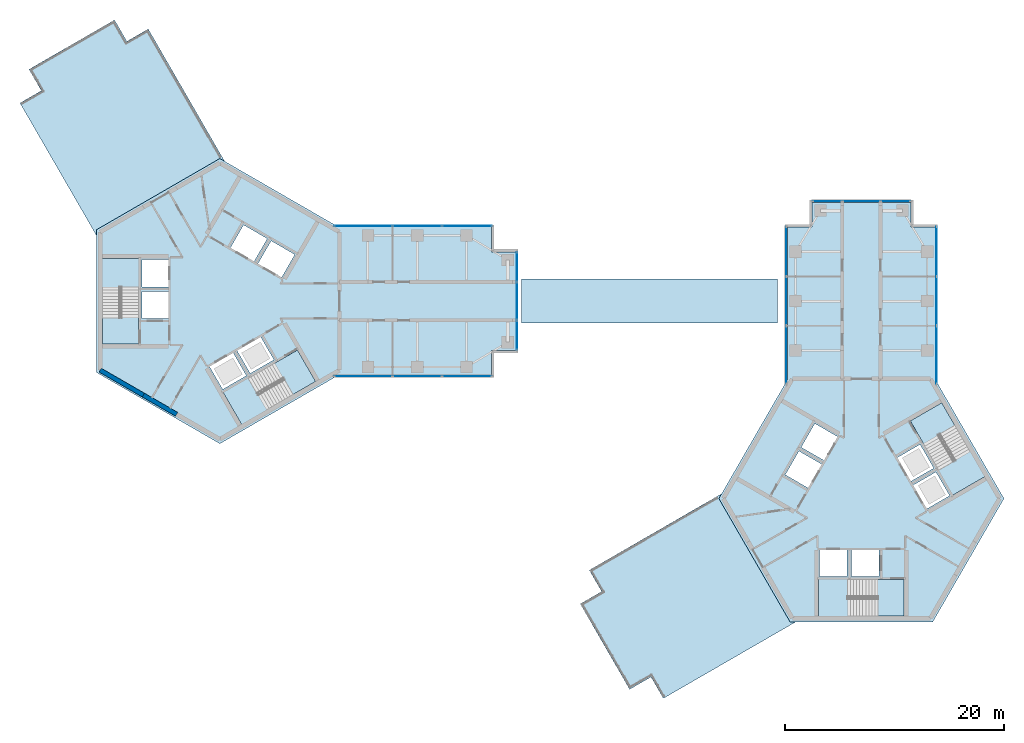
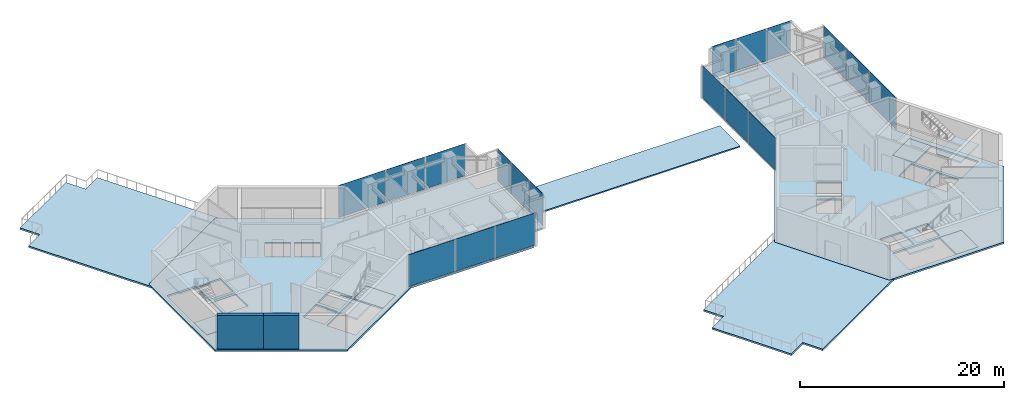
# One storey, part 4 of 11: 18 plates, 13 slabs, 2 walls, 10 elements without a shape of their own.
"""IFC4 building model written with IfcOpenShell, lengths in metres."""

from ifc_helpers import new_model, si_unit, direction, frame, frame_2d, origin, origin_2d, place, context, subcontext, project, spatial, polyline, rectangle, outline, extrude, material, layer, layer_set, type_object, element, aggregate, save


model = new_model("IFC4")

# Units and contexts
model_context = context("Model", 3, precision=1e-05, world=origin(), true_north=direction((0.0, 1.0)))
body_context = subcontext(model_context, "Body", "Model", "MODEL_VIEW")
ifc_project = project(units=[si_unit("LENGTHUNIT", "METRE"), si_unit("AREAUNIT", "SQUARE_METRE"), si_unit("VOLUMEUNIT", "CUBIC_METRE"), si_unit("PLANEANGLEUNIT", "RADIAN"), si_unit("MASSUNIT", "GRAM", prefix="KILO")], contexts=[model_context])

# Site, building, storey
site_placement = place(None, origin())
site = spatial("IfcSite", under=ifc_project, at=site_placement, CompositionType="ELEMENT")
building_placement = place(site_placement, origin())
building = spatial("IfcBuilding", under=site, at=building_placement, Name="Upepo Twin Towers", CompositionType="ELEMENT")
storey_placement = place(building_placement, frame((0.0, 0.0, 243.5)))
storey = spatial("IfcBuildingStorey", under=building, at=storey_placement, Name="L59", CompositionType="ELEMENT", Elevation=243.5)

# Slab
ifc_material_1 = material(Name="Concrete C40/50 on steel deck", Category="concrete")
ifc_layer_1 = layer(ifc_material_1, 0.14990234375)
ifc_layer_set_1 = layer_set([ifc_layer_1], Name="Concrete C40/50 on steel deck")
slab_type_1 = type_object("IfcSlabType", Name="Bridge roof 150 composite", PredefinedType="ROOF", material=ifc_layer_set_1)
slab_1_placement = place(storey_placement, frame((0.0, 0.0, -0.199951171875)))
element("IfcSlab", 1, at=slab_1_placement, inside=storey, type_object=slab_type_1, Name="BR3 roof slab (maintenance access only)", PredefinedType="ROOF", context=body_context, shape_type="SweptSolid", body=[
    extrude(outline(polyline([(27.5, -2.0), (50.840087890625, -2.0), (50.840087890625, 2.0), (27.5, 2.0), (27.5, -2.0)])), origin(), (0.0, 0.0, 1.0), 0.14990234375),
])

# Curtain wall, plates
ifc_material_2 = material(Name="Aluminium and fritted glass", Category="aluminium")
curtain_wall_type = type_object("IfcCurtainWallType", Name="Tower curtain wall TW4, fritted glass", PredefinedType="NOTDEFINED", material=ifc_material_2)
curtain_wall_1_placement = place(storey_placement, origin())
curtain_wall_1 = element("IfcCurtainWall", 2, at=curtain_wall_1_placement, inside=storey, type_object=curtain_wall_type, Name="T1 L59 wing A flank L curtain wall", PredefinedType="NOTDEFINED")
ifc_material_3 = material(Name="Ceramic-fritted laminated glass", Category="glass")
ifc_layer_2 = layer(ifc_material_3, 0.031982421875)
ifc_layer_set_2 = layer_set([ifc_layer_2], Name="Fritted glass panel, 60 per cent dot frit, 32 mm double glazed")
plate_type_1 = type_object("IfcPlateType", Name="Fritted glass panel, 60 per cent dot frit, 32 mm double glazed", PredefinedType="CURTAIN_PANEL", material=ifc_layer_set_2)
plate_1_placement = place(storey_placement, frame((13.084716796875, 6.85009765625, 0.14990234375), z_axis=(0.0, 0.0, 1.0), x_axis=(1.0, 0.0, 0.0)))
plate_1 = element("IfcPlate", 3, at=plate_1_placement, type_object=plate_type_1, Name="T1 L59 wing A flank L curtain wall panel 1", PredefinedType="CURTAIN_PANEL", context=body_context, shape_type="SweptSolid", body=[
    extrude(rectangle(XDim=5.265380859375, YDim=0.031982421875, at=origin_2d()), origin(), (0.0, 0.0, 1.0), 3.85009765625),
])
plate_2_placement = place(storey_placement, frame((18.0, 6.85009765625, 0.14990234375), z_axis=(0.0, 0.0, 1.0), x_axis=(1.0, 0.0, 0.0)))
plate_2 = element("IfcPlate", 4, at=plate_2_placement, type_object=plate_type_1, Name="T1 L59 wing A flank L curtain wall panel 2", PredefinedType="CURTAIN_PANEL", context=body_context, shape_type="SweptSolid", body=[
    extrude(rectangle(XDim=4.43505859375, YDim=0.031982421875, at=origin_2d()), origin(), (0.0, 0.0, 1.0), 3.85009765625),
])
plate_3_placement = place(storey_placement, frame((22.53369140625, 6.85009765625, 0.14990234375), z_axis=(0.0, 0.0, 1.0), x_axis=(1.0, 0.0, 0.0)))
plate_3 = element("IfcPlate", 5, at=plate_3_placement, type_object=plate_type_1, Name="T1 L59 wing A flank L curtain wall panel 3", PredefinedType="CURTAIN_PANEL", context=body_context, shape_type="SweptSolid", body=[
    extrude(rectangle(XDim=4.50244140625, YDim=0.031982421875, at=origin_2d()), origin(), (0.0, 0.0, 1.0), 3.85009765625),
])
aggregate(curtain_wall_1, [plate_1, plate_2, plate_3])

curtain_wall_2_placement = place(storey_placement, origin())
curtain_wall_2 = element("IfcCurtainWall", 6, at=curtain_wall_2_placement, inside=storey, type_object=curtain_wall_type, Name="T1 L59 wing A flank R curtain wall", PredefinedType="NOTDEFINED")
plate_4_placement = place(storey_placement, frame((22.53369140625, -6.85009765625, 0.14990234375), z_axis=(0.0, 0.0, 1.0), x_axis=(-1.0, 0.0, 0.0)))
plate_4 = element("IfcPlate", 7, at=plate_4_placement, type_object=plate_type_1, Name="T1 L59 wing A flank R curtain wall panel 1", PredefinedType="CURTAIN_PANEL", context=body_context, shape_type="SweptSolid", body=[
    extrude(rectangle(XDim=4.50244140625, YDim=0.031982421875, at=origin_2d()), origin(), (0.0, 0.0, 1.0), 3.85009765625),
])
plate_5_placement = place(storey_placement, frame((18.0, -6.85009765625, 0.14990234375), z_axis=(0.0, 0.0, 1.0), x_axis=(-1.0, 0.0, 0.0)))
plate_5 = element("IfcPlate", 8, at=plate_5_placement, type_object=plate_type_1, Name="T1 L59 wing A flank R curtain wall panel 2", PredefinedType="CURTAIN_PANEL", context=body_context, shape_type="SweptSolid", body=[
    extrude(rectangle(XDim=4.43505859375, YDim=0.031982421875, at=origin_2d()), origin(), (0.0, 0.0, 1.0), 3.85009765625),
])
plate_6_placement = place(storey_placement, frame((13.084716796875, -6.85009765625, 0.14990234375), z_axis=(0.0, 0.0, 1.0), x_axis=(-1.0, 0.0, 0.0)))
plate_6 = element("IfcPlate", 9, at=plate_6_placement, type_object=plate_type_1, Name="T1 L59 wing A flank R curtain wall panel 3", PredefinedType="CURTAIN_PANEL", context=body_context, shape_type="SweptSolid", body=[
    extrude(rectangle(XDim=5.265380859375, YDim=0.031982421875, at=origin_2d()), origin(), (0.0, 0.0, 1.0), 3.85009765625),
])
aggregate(curtain_wall_2, [plate_4, plate_5, plate_6])

# Curtain wall, plate
curtain_wall_3_placement = place(storey_placement, origin())
curtain_wall_3 = element("IfcCurtainWall", 10, at=curtain_wall_3_placement, inside=storey, type_object=curtain_wall_type, Name="T1 L59 wing A nose curtain wall", PredefinedType="NOTDEFINED")
plate_7_placement = place(storey_placement, frame((27.10009765625, 0.0, 0.14990234375), z_axis=(0.0, 0.0, 1.0), x_axis=(0.0, 1.0, 0.0)))
plate_7 = element("IfcPlate", 11, at=plate_7_placement, type_object=plate_type_1, Name="T1 L59 wing A nose curtain wall panel 2", PredefinedType="CURTAIN_PANEL", context=body_context, shape_type="SweptSolid", body=[
    extrude(rectangle(XDim=3.43505859375, YDim=0.031982421875, at=origin_2d()), origin(), (0.0, 0.0, 1.0), 3.85009765625),
])

# Curtain wall, plates
curtain_wall_4_placement = place(storey_placement, origin())
curtain_wall_4 = element("IfcCurtainWall", 12, at=curtain_wall_4_placement, inside=storey, type_object=curtain_wall_type, Name="T2 L59 wing A flank L curtain wall", PredefinedType="NOTDEFINED")
plate_8_placement = place(storey_placement, frame((51.64990234375, -4.915283203125, 0.14990234375), z_axis=(0.0, 0.0, 1.0), x_axis=(0.0, 1.0, 0.0)))
plate_8 = element("IfcPlate", 13, at=plate_8_placement, type_object=plate_type_1, Name="T2 L59 wing A flank L curtain wall panel 1", PredefinedType="CURTAIN_PANEL", context=body_context, shape_type="SweptSolid", body=[
    extrude(rectangle(XDim=5.265380859375, YDim=0.031982421875, at=origin_2d()), origin(), (0.0, 0.0, 1.0), 3.85009765625),
])
plate_9_placement = place(storey_placement, frame((51.64990234375, 0.0, 0.14990234375), z_axis=(0.0, 0.0, 1.0), x_axis=(0.0, 1.0, 0.0)))
plate_9 = element("IfcPlate", 14, at=plate_9_placement, type_object=plate_type_1, Name="T2 L59 wing A flank L curtain wall panel 2", PredefinedType="CURTAIN_PANEL", context=body_context, shape_type="SweptSolid", body=[
    extrude(rectangle(XDim=4.43505859375, YDim=0.031982421875, at=origin_2d()), origin(), (0.0, 0.0, 1.0), 3.85009765625),
])
plate_10_placement = place(storey_placement, frame((51.64990234375, 4.53369140625, 0.14990234375), z_axis=(0.0, 0.0, 1.0), x_axis=(0.0, 1.0, 0.0)))
plate_10 = element("IfcPlate", 15, at=plate_10_placement, type_object=plate_type_1, Name="T2 L59 wing A flank L curtain wall panel 3", PredefinedType="CURTAIN_PANEL", context=body_context, shape_type="SweptSolid", body=[
    extrude(rectangle(XDim=4.50244140625, YDim=0.031982421875, at=origin_2d()), origin(), (0.0, 0.0, 1.0), 3.85009765625),
])
aggregate(curtain_wall_4, [plate_8, plate_9, plate_10])

curtain_wall_5_placement = place(storey_placement, origin())
curtain_wall_5 = element("IfcCurtainWall", 16, at=curtain_wall_5_placement, inside=storey, type_object=curtain_wall_type, Name="T2 L59 wing A flank R curtain wall", PredefinedType="NOTDEFINED")
plate_11_placement = place(storey_placement, frame((65.35009765625, 4.53369140625, 0.14990234375), z_axis=(0.0, 0.0, 1.0), x_axis=(0.0, -1.0, 0.0)))
plate_11 = element("IfcPlate", 17, at=plate_11_placement, type_object=plate_type_1, Name="T2 L59 wing A flank R curtain wall panel 1", PredefinedType="CURTAIN_PANEL", context=body_context, shape_type="SweptSolid", body=[
    extrude(rectangle(XDim=4.50244140625, YDim=0.031982421875, at=origin_2d()), origin(), (0.0, 0.0, 1.0), 3.85009765625),
])
plate_12_placement = place(storey_placement, frame((65.35009765625, 0.0, 0.14990234375), z_axis=(0.0, 0.0, 1.0), x_axis=(0.0, -1.0, 0.0)))
plate_12 = element("IfcPlate", 18, at=plate_12_placement, type_object=plate_type_1, Name="T2 L59 wing A flank R curtain wall panel 2", PredefinedType="CURTAIN_PANEL", context=body_context, shape_type="SweptSolid", body=[
    extrude(rectangle(XDim=4.43505859375, YDim=0.031982421875, at=origin_2d()), origin(), (0.0, 0.0, 1.0), 3.85009765625),
])
plate_13_placement = place(storey_placement, frame((65.35009765625, -4.915283203125, 0.14990234375), z_axis=(0.0, 0.0, 1.0), x_axis=(0.0, -1.0, 0.0)))
plate_13 = element("IfcPlate", 19, at=plate_13_placement, type_object=plate_type_1, Name="T2 L59 wing A flank R curtain wall panel 3", PredefinedType="CURTAIN_PANEL", context=body_context, shape_type="SweptSolid", body=[
    extrude(rectangle(XDim=5.265380859375, YDim=0.031982421875, at=origin_2d()), origin(), (0.0, 0.0, 1.0), 3.85009765625),
])
aggregate(curtain_wall_5, [plate_11, plate_12, plate_13])

# Curtain wall, plate
curtain_wall_6_placement = place(storey_placement, origin())
curtain_wall_6 = element("IfcCurtainWall", 20, at=curtain_wall_6_placement, inside=storey, type_object=curtain_wall_type, Name="T2 L59 wing A nose curtain wall", PredefinedType="NOTDEFINED")
plate_14_placement = place(storey_placement, frame((58.5, 9.10009765625, 0.14990234375), z_axis=(0.0, 0.0, 1.0), x_axis=(-1.0, 0.0, 0.0)))
plate_14 = element("IfcPlate", 21, at=plate_14_placement, type_object=plate_type_1, Name="T2 L59 wing A nose curtain wall panel 2", PredefinedType="CURTAIN_PANEL", context=body_context, shape_type="SweptSolid", body=[
    extrude(rectangle(XDim=3.43505859375, YDim=0.031982421875, at=origin_2d()), origin(), (0.0, 0.0, 1.0), 3.85009765625),
])

# Plate
ifc_material_4 = material(Name="Clear laminated glass in opening sash", Category="glass")
ifc_layer_3 = layer(ifc_material_4, 0.031982421875)
ifc_layer_set_3 = layer_set([ifc_layer_3], Name="Operable glass panel, 32 mm double glazed")
plate_type_2 = type_object("IfcPlateType", Name="Operable glass panel, 32 mm double glazed", PredefinedType="CURTAIN_PANEL", material=ifc_layer_set_3)
plate_15_placement = place(storey_placement, frame((27.10009765625, -3.108642578125, 0.14990234375), z_axis=(0.0, 0.0, 1.0), x_axis=(0.0, 1.0, 0.0)))
plate_15 = element("IfcPlate", 22, at=plate_15_placement, type_object=plate_type_2, Name="T1 L59 wing A nose curtain wall panel 1", PredefinedType="CURTAIN_PANEL", context=body_context, shape_type="SweptSolid", body=[
    extrude(rectangle(XDim=2.652587890625, YDim=0.031982421875, at=origin_2d()), origin(), (0.0, 0.0, 1.0), 3.85009765625),
])

plate_16_placement = place(storey_placement, frame((27.10009765625, 3.108642578125, 0.14990234375), z_axis=(0.0, 0.0, 1.0), x_axis=(0.0, 1.0, 0.0)))
plate_16 = element("IfcPlate", 23, at=plate_16_placement, type_object=plate_type_2, Name="T1 L59 wing A nose curtain wall panel 3", PredefinedType="CURTAIN_PANEL", context=body_context, shape_type="SweptSolid", body=[
    extrude(rectangle(XDim=2.652587890625, YDim=0.031982421875, at=origin_2d()), origin(), (0.0, 0.0, 1.0), 3.85009765625),
])

aggregate(curtain_wall_3, [plate_15, plate_7, plate_16])

plate_17_placement = place(storey_placement, frame((61.608642578125, 9.10009765625, 0.14990234375), z_axis=(0.0, 0.0, 1.0), x_axis=(-1.0, 0.0, 0.0)))
plate_17 = element("IfcPlate", 24, at=plate_17_placement, type_object=plate_type_2, Name="T2 L59 wing A nose curtain wall panel 1", PredefinedType="CURTAIN_PANEL", context=body_context, shape_type="SweptSolid", body=[
    extrude(rectangle(XDim=2.652587890625, YDim=0.031982421875, at=origin_2d()), origin(), (0.0, 0.0, 1.0), 3.85009765625),
])

plate_18_placement = place(storey_placement, frame((55.391357421875, 9.10009765625, 0.14990234375), z_axis=(0.0, 0.0, 1.0), x_axis=(-1.0, 0.0, 0.0)))
plate_18 = element("IfcPlate", 25, at=plate_18_placement, type_object=plate_type_2, Name="T2 L59 wing A nose curtain wall panel 3", PredefinedType="CURTAIN_PANEL", context=body_context, shape_type="SweptSolid", body=[
    extrude(rectangle(XDim=2.652587890625, YDim=0.031982421875, at=origin_2d()), origin(), (0.0, 0.0, 1.0), 3.85009765625),
])

aggregate(curtain_wall_6, [plate_17, plate_14, plate_18])

# Slabs
ifc_material_5 = material(Name="Concrete C40/50", Category="concrete")
ifc_layer_4 = layer(ifc_material_5, 0.199951171875)
ifc_layer_set_4 = layer_set([ifc_layer_4], Name="Concrete C40/50")
slab_type_2 = type_object("IfcSlabType", Name="Sky terrace slab 200 RC", PredefinedType="ROOF", material=ifc_layer_set_4)
slab_2_placement = place(storey_placement, frame((0.0, 0.0, -0.199951171875)))
element("IfcSlab", 26, at=slab_2_placement, inside=storey, type_object=slab_type_2, Name="T1 L59 sky terrace slab with planting beds", PredefinedType="ROOF", context=body_context, shape_type="SweptSolid", body=[
    extrude(outline(polyline([(-18.220703125, 18.05908203125), (-16.272216796875, 19.18408203125), (-17.397216796875, 21.132568359375), (-9.602783203125, 25.632568359375), (-8.477783203125, 23.68408203125), (-6.529296875, 24.80908203125), (0.43310546875, 12.75), (10.825439453125, 6.75), (0.0, 13.0), (-11.25830078125, 6.5), (-11.25830078125, 6.0), (-18.220703125, 18.05908203125)])), origin(), (0.0, 0.0, 1.0), 0.199951171875),
])
slab_3_placement = place(storey_placement, frame((0.0, 0.0, -0.199951171875)))
element("IfcSlab", 27, at=slab_3_placement, inside=storey, type_object=slab_type_2, Name="T2 L59 sky terrace slab with planting beds", PredefinedType="ROOF", context=body_context, shape_type="SweptSolid", body=[
    extrude(outline(polyline([(40.44091796875, -36.220703125), (39.31591796875, -34.272216796875), (37.367431640625, -35.397216796875), (32.867431640625, -27.602783203125), (34.81591796875, -26.477783203125), (33.69091796875, -24.529296875), (45.75, -17.56689453125), (51.75, -7.174560546875), (45.5, -18.0), (52.0, -29.25830078125), (52.5, -29.25830078125), (40.44091796875, -36.220703125)])), origin(), (0.0, 0.0, 1.0), 0.199951171875),
])

# Stair, slabs
ifc_material_6 = material(Name="Concrete C40/50", Category="concrete")
stair_type = type_object("IfcStairType", Name="Core stair, two flights", PredefinedType="HALF_TURN_STAIR", material=ifc_material_6)
stair_1_placement = place(storey_placement, origin())
stair_1 = element("IfcStair", 28, at=stair_1_placement, inside=storey, type_object=stair_type, Name="T1 stair S1 L59", PredefinedType="HALF_TURN_STAIR")
ifc_material_7 = material(Name="Concrete C40/50", Category="concrete")
ifc_layer_5 = layer(ifc_material_7, 0.199951171875)
ifc_layer_set_5 = layer_set([ifc_layer_5], Name="Concrete C40/50")
slab_type_3 = type_object("IfcSlabType", Name="Stair landing 200 RC", PredefinedType="LANDING", material=ifc_layer_set_5)
slab_4_placement = place(storey_placement, frame((0.0, 0.0, -0.199951171875)))
slab_4 = element("IfcSlab", 29, at=slab_4_placement, type_object=slab_type_3, Name="Stair S1 landing 1", PredefinedType="LANDING", context=body_context, shape_type="SweptSolid", body=[
    extrude(outline(polyline([(-7.39990234375, -1.419921875), (-10.708251953125, -1.419921875), (-10.708251953125, -3.89990234375), (-7.39990234375, -3.89990234375), (-7.39990234375, -1.419921875)])), origin(), (0.0, 0.0, 1.0), 0.199951171875),
])
slab_5_placement = place(storey_placement, frame((0.0, 0.0, 1.800048828125)))
slab_5 = element("IfcSlab", 30, at=slab_5_placement, type_object=slab_type_3, Name="Stair S1 landing 2", PredefinedType="LANDING", context=body_context, shape_type="SweptSolid", body=[
    extrude(outline(polyline([(-7.300048828125, 3.89990234375), (-10.808349609375, 3.89990234375), (-10.808349609375, 1.179931640625), (-7.300048828125, 1.179931640625), (-7.300048828125, 3.89990234375)])), origin(), (0.0, 0.0, 1.0), 0.199951171875),
])
aggregate(stair_1, [slab_4, slab_5])

stair_2_placement = place(storey_placement, origin())
stair_2 = element("IfcStair", 31, at=stair_2_placement, inside=storey, type_object=stair_type, Name="T1 stair S2 L59", PredefinedType="HALF_TURN_STAIR")
slab_6_placement = place(storey_placement, frame((0.0, 0.0, -0.199951171875)))
slab_6 = element("IfcSlab", 32, at=slab_6_placement, type_object=slab_type_3, Name="Stair S2 landing 1", PredefinedType="LANDING", context=body_context, shape_type="SweptSolid", body=[
    extrude(outline(polyline([(4.9296875, -5.698486328125), (6.583984375, -8.563720703125), (8.731689453125, -7.32373046875), (7.077392578125, -4.45849609375), (4.9296875, -5.698486328125)])), origin(), (0.0, 0.0, 1.0), 0.199951171875),
])
slab_7_placement = place(storey_placement, frame((0.0, 0.0, 1.800048828125)))
slab_7 = element("IfcSlab", 33, at=slab_7_placement, type_object=slab_type_3, Name="Stair S2 landing 2", PredefinedType="LANDING", context=body_context, shape_type="SweptSolid", body=[
    extrude(outline(polyline([(0.2724609375, -8.27197265625), (2.026611328125, -11.310302734375), (4.38232421875, -9.9501953125), (2.628173828125, -6.911865234375), (0.2724609375, -8.27197265625)])), origin(), (0.0, 0.0, 1.0), 0.199951171875),
])
aggregate(stair_2, [slab_6, slab_7])

stair_3_placement = place(storey_placement, origin())
stair_3 = element("IfcStair", 34, at=stair_3_placement, inside=storey, type_object=stair_type, Name="T2 stair S1 L59", PredefinedType="HALF_TURN_STAIR")
slab_8_placement = place(storey_placement, frame((0.0, 0.0, -0.199951171875)))
slab_8 = element("IfcSlab", 35, at=slab_8_placement, type_object=slab_type_3, Name="Stair S1 landing 1", PredefinedType="LANDING", context=body_context, shape_type="SweptSolid", body=[
    extrude(outline(polyline([(59.919921875, -25.39990234375), (59.919921875, -28.708251953125), (62.39990234375, -28.708251953125), (62.39990234375, -25.39990234375), (59.919921875, -25.39990234375)])), origin(), (0.0, 0.0, 1.0), 0.199951171875),
])
slab_9_placement = place(storey_placement, frame((0.0, 0.0, 1.800048828125)))
slab_9 = element("IfcSlab", 36, at=slab_9_placement, type_object=slab_type_3, Name="Stair S1 landing 2", PredefinedType="LANDING", context=body_context, shape_type="SweptSolid", body=[
    extrude(outline(polyline([(54.60009765625, -25.300048828125), (54.60009765625, -28.808349609375), (57.320068359375, -28.808349609375), (57.320068359375, -25.300048828125), (54.60009765625, -25.300048828125)])), origin(), (0.0, 0.0, 1.0), 0.199951171875),
])
aggregate(stair_3, [slab_8, slab_9])

stair_4_placement = place(storey_placement, origin())
stair_4 = element("IfcStair", 37, at=stair_4_placement, inside=storey, type_object=stair_type, Name="T2 stair S2 L59", PredefinedType="HALF_TURN_STAIR")
slab_10_placement = place(storey_placement, frame((0.0, 0.0, -0.199951171875)))
slab_10 = element("IfcSlab", 38, at=slab_10_placement, type_object=slab_type_3, Name="Stair S2 landing 1", PredefinedType="LANDING", context=body_context, shape_type="SweptSolid", body=[
    extrude(outline(polyline([(64.198486328125, -13.0703125), (67.063720703125, -11.416015625), (65.82373046875, -9.268310546875), (62.95849609375, -10.922607421875), (64.198486328125, -13.0703125)])), origin(), (0.0, 0.0, 1.0), 0.199951171875),
])
slab_11_placement = place(storey_placement, frame((0.0, 0.0, 1.800048828125)))
slab_11 = element("IfcSlab", 39, at=slab_11_placement, type_object=slab_type_3, Name="Stair S2 landing 2", PredefinedType="LANDING", context=body_context, shape_type="SweptSolid", body=[
    extrude(outline(polyline([(66.77197265625, -17.7275390625), (69.810302734375, -15.973388671875), (68.4501953125, -13.61767578125), (65.411865234375, -15.371826171875), (66.77197265625, -17.7275390625)])), origin(), (0.0, 0.0, 1.0), 0.199951171875),
])
aggregate(stair_4, [slab_10, slab_11])

# Slabs
ifc_material_8 = material(Name="Concrete C40/50", Category="concrete")
ifc_layer_6 = layer(ifc_material_8, 0.199951171875)
ifc_layer_set_6 = layer_set([ifc_layer_6], Name="Concrete C40/50")
slab_type_4 = type_object("IfcSlabType", Name="Tower floor slab 200 RC", PredefinedType="FLOOR", material=ifc_layer_set_6)
slab_12_placement = place(storey_placement, frame((0.0, 0.0, -0.199951171875)))
element("IfcSlab", 40, at=slab_12_placement, inside=storey, type_object=slab_type_4, Name="T1 L59 floor slab", PredefinedType="FLOOR", context=body_context, shape_type="SweptSolid", body=[
    extrude(outline(polyline([(0.0, -13.0), (-11.25830078125, -6.5), (-11.25830078125, 6.5), (0.0, 13.0), (10.825439453125, 6.75), (24.75, 6.75), (24.75, 4.5), (27.0, 4.5), (27.0, -4.5), (24.75, -4.5), (24.75, -6.75), (10.825439453125, -6.75), (0.0, -13.0)]), holes=[polyline([(5.640869140625, 2.17041015625), (6.8408203125, 4.248779296875), (4.67578125, 5.498779296875), (3.475830078125, 3.42041015625), (5.640869140625, 2.17041015625)]), polyline([(3.12939453125, 3.620361328125), (4.329345703125, 5.69873046875), (2.164306640625, 6.94873046875), (0.96435546875, 4.870361328125), (3.12939453125, 3.620361328125)]), polyline([(-4.699951171875, 3.800048828125), (-7.10009765625, 3.800048828125), (-7.10009765625, 1.300048828125), (-4.699951171875, 1.300048828125), (-4.699951171875, 3.800048828125)]), polyline([(-4.699951171875, 0.89990234375), (-7.10009765625, 0.89990234375), (-7.10009765625, -1.60009765625), (-4.699951171875, -1.60009765625), (-4.699951171875, 0.89990234375)]), polyline([(-7.39990234375, 3.89990234375), (-10.708251953125, 3.89990234375), (-10.708251953125, -3.89990234375), (-7.39990234375, -3.89990234375), (-7.39990234375, 3.89990234375)]), polyline([(-0.94091796875, -5.97021484375), (0.259033203125, -8.048828125), (2.424072265625, -6.798828125), (1.22412109375, -4.72021484375), (-0.94091796875, -5.97021484375)]), polyline([(1.570556640625, -4.520263671875), (2.7705078125, -6.598876953125), (4.935546875, -5.348876953125), (3.735595703125, -3.270263671875), (1.570556640625, -4.520263671875)]), polyline([(0.322509765625, -8.358642578125), (1.9765625, -11.2236328125), (8.731689453125, -7.32373046875), (7.077392578125, -4.45849609375), (0.322509765625, -8.358642578125)])]), origin(), (0.0, 0.0, 1.0), 0.199951171875),
])
slab_13_placement = place(storey_placement, frame((0.0, 0.0, -0.199951171875)))
element("IfcSlab", 41, at=slab_13_placement, inside=storey, type_object=slab_type_4, Name="T2 L59 floor slab", PredefinedType="FLOOR", context=body_context, shape_type="SweptSolid", body=[
    extrude(outline(polyline([(71.5, -18.0), (65.0, -29.25830078125), (52.0, -29.25830078125), (45.5, -18.0), (51.75, -7.174560546875), (51.75, 6.75), (54.0, 6.75), (54.0, 9.0), (63.0, 9.0), (63.0, 6.75), (65.25, 6.75), (65.25, -7.174560546875), (71.5, -18.0)]), holes=[polyline([(56.32958984375, -12.359130859375), (54.251220703125, -11.1591796875), (53.001220703125, -13.32421875), (55.07958984375, -14.524169921875), (56.32958984375, -12.359130859375)]), polyline([(54.879638671875, -14.87060546875), (52.80126953125, -13.670654296875), (51.55126953125, -15.835693359375), (53.629638671875, -17.03564453125), (54.879638671875, -14.87060546875)]), polyline([(54.699951171875, -22.699951171875), (54.699951171875, -25.10009765625), (57.199951171875, -25.10009765625), (57.199951171875, -22.699951171875), (54.699951171875, -22.699951171875)]), polyline([(57.60009765625, -22.699951171875), (57.60009765625, -25.10009765625), (60.10009765625, -25.10009765625), (60.10009765625, -22.699951171875), (57.60009765625, -22.699951171875)]), polyline([(54.60009765625, -25.39990234375), (54.60009765625, -28.708251953125), (62.39990234375, -28.708251953125), (62.39990234375, -25.39990234375), (54.60009765625, -25.39990234375)]), polyline([(64.47021484375, -18.94091796875), (66.548828125, -17.740966796875), (65.298828125, -15.575927734375), (63.22021484375, -16.77587890625), (64.47021484375, -18.94091796875)]), polyline([(63.020263671875, -16.429443359375), (65.098876953125, -15.2294921875), (63.848876953125, -13.064453125), (61.770263671875, -14.264404296875), (63.020263671875, -16.429443359375)]), polyline([(66.858642578125, -17.677490234375), (69.7236328125, -16.0234375), (65.82373046875, -9.268310546875), (62.95849609375, -10.922607421875), (66.858642578125, -17.677490234375)])]), origin(), (0.0, 0.0, 1.0), 0.199951171875),
])

# Walls
ifc_material_9 = material(Name="Concrete C60/75", Category="concrete")
ifc_layer_7 = layer(ifc_material_9, 0.39990234375)
ifc_layer_set_7 = layer_set([ifc_layer_7], Name="Concrete C60/75")
wall_type = type_object("IfcWallType", Name="Core wall 400 RC", PredefinedType="SHEAR", material=ifc_layer_set_7)
wall_1_placement = place(storey_placement, frame((-10.908447265625, -6.2978515625, 0.0), z_axis=(0.0, 0.0, 1.0), x_axis=(0.866034513004, -0.499984222037, 0.0)))
element("IfcWall", 42, at=wall_1_placement, inside=storey, type_object=wall_type, Name="T1 core wall 240 R", PredefinedType="SHEAR", context=body_context, shape_type="SweptSolid", body=[
    extrude(rectangle(XDim=4.548095703125, YDim=0.39990234375, at=frame_2d((2.27392578125, 0.0))), origin(), (0.0, 0.0, 1.0), 4.0),
])
wall_2_placement = place(storey_placement, frame((-6.9697265625, -8.57177734375, 0.0), z_axis=(0.0, 0.0, 1.0), x_axis=(0.866019471182, -0.500010275428, 0.0)))
element("IfcWall", 43, at=wall_2_placement, inside=storey, type_object=wall_type, Name="T1 core wall 240", PredefinedType="SHEAR", context=body_context, shape_type="SweptSolid", body=[
    extrude(rectangle(XDim=3.5, YDim=0.39990234375, at=frame_2d((1.75, 0.0))), origin(), (0.0, 0.0, 1.0), 4.0),
])

save(model, "model.ifc")
